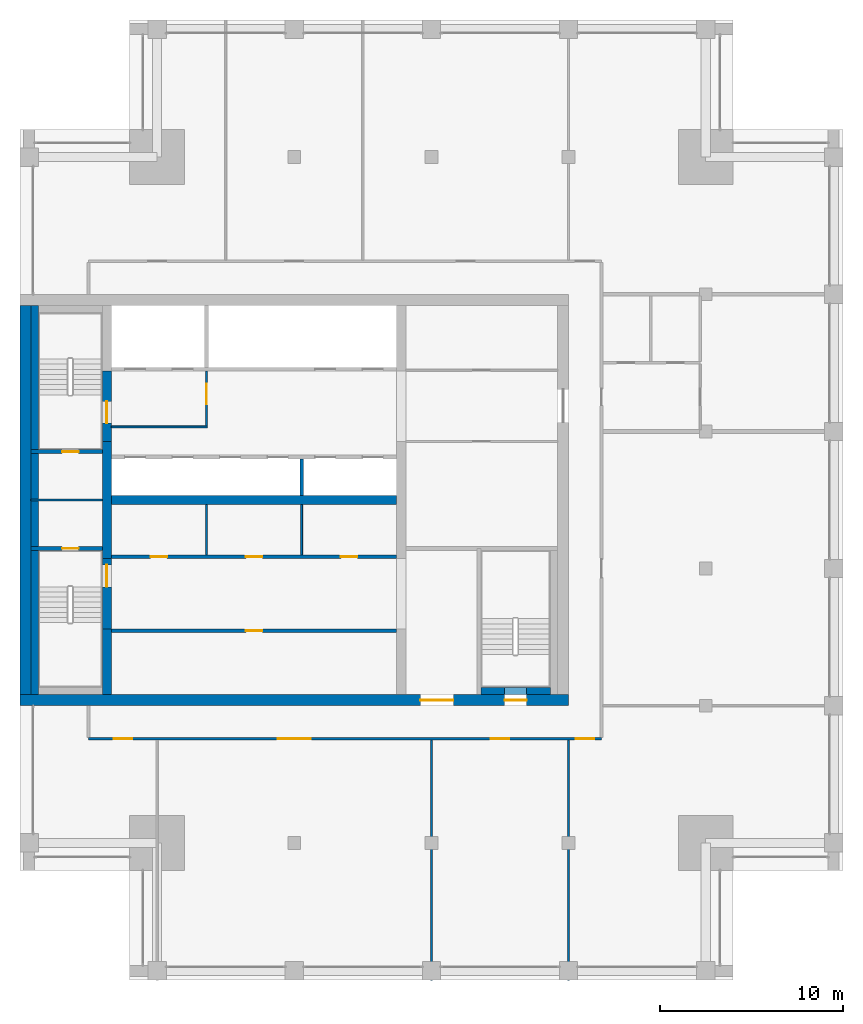
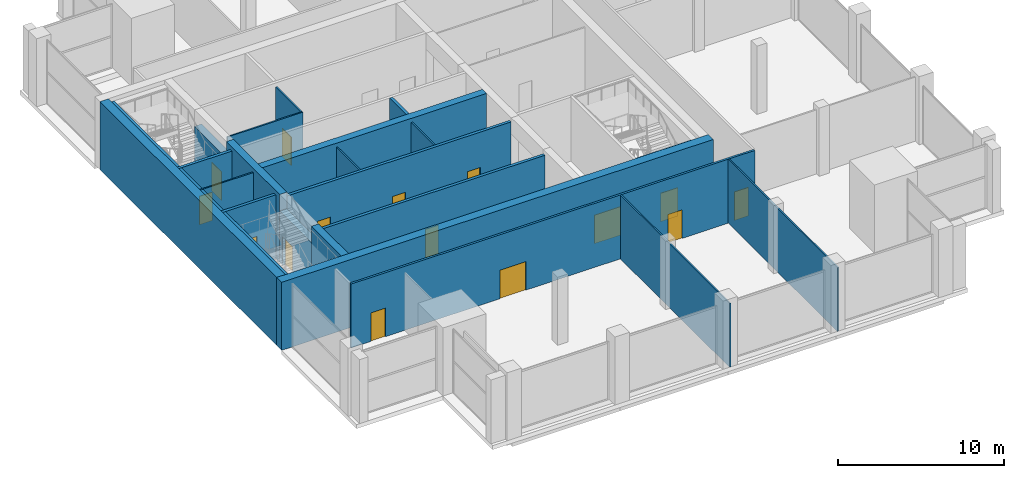
# One storey, part 8 of 15: 24 walls, 15 doors, 15 openings.
"""IFC4 building model written with IfcOpenShell, lengths in metres."""

import ifcopenshell
import ifcopenshell.guid

model = None  # the IFC model being written
_history = None  # IfcOwnerHistory: only IFC2X3 demands one
_inside = {}  # id of a spatial element -> (the spatial element, [elements in it])
_under = {}  # id of a project, library or spatial element -> (it, [spatial elements below it])
_declared = {}  # id of a project -> (the project, [libraries it declares])
_typed = {}  # id of a type object -> (the type object, [elements of that type])
_made_of = {}  # id of a material, layer set ... -> (it, [elements and type objects made of it])


def new_model(schema):
    """Start an empty IFC model of exactly this schema.

    Asked for "IFC4X3", IfcOpenShell would pick the latest addendum, in which some entities
    have other attributes; the version numbers below select the first issue.
    IFC2X3 requires an IfcOwnerHistory on every rooted entity: one is made here for all.
    """
    global model, _history
    if schema == "IFC4X3":
        model = ifcopenshell.file(schema_version=(4, 3, 0, 0))
    else:
        model = ifcopenshell.file(schema=schema)
    _inside.clear()
    _under.clear()
    _declared.clear()
    _typed.clear()
    _made_of.clear()
    _history = None
    if model.schema == "IFC2X3":
        org = make("IfcOrganization", Name="unknown")
        user = make(
            "IfcPersonAndOrganization",
            ThePerson=make("IfcPerson", FamilyName="unknown"),
            TheOrganization=org,
        )
        app = make(
            "IfcApplication",
            ApplicationDeveloper=org,
            Version="unknown",
            ApplicationFullName="unknown",
            ApplicationIdentifier="unknown",
        )
        _history = make(
            "IfcOwnerHistory",
            OwningUser=user,
            OwningApplication=app,
            ChangeAction="ADDED",
            CreationDate=0,
        )
    return model


def make(cls, **values):
    """One entity of the class cls with the attributes given. An attribute that is None is left unset."""
    return model.create_entity(
        cls, **{name: value for name, value in values.items() if value is not None}
    )


def rooted(cls, **values):
    """An entity with a GlobalId (a new one), such as an element, a storey or a relation."""
    return make(cls, GlobalId=ifcopenshell.guid.new(), OwnerHistory=_history, **values)


def si_unit(unit_type, name, prefix=None):
    """IfcSIUnit, for example si_unit("LENGTHUNIT", "METRE", prefix="MILLI")."""
    return make("IfcSIUnit", UnitType=unit_type, Prefix=prefix, Name=name)


def assignment(units):
    """IfcUnitAssignment: the units of a project."""
    return None if units is None else make("IfcUnitAssignment", Units=units)


def point(xyz):
    """IfcCartesianPoint."""
    return None if xyz is None else make("IfcCartesianPoint", Coordinates=xyz)


def direction(xyz):
    """IfcDirection."""
    return None if xyz is None else make("IfcDirection", DirectionRatios=xyz)


def frame(location, z_axis=None, x_axis=None):
    """IfcAxis2Placement3D, a coordinate frame: its origin and axes. An axis left out is left unset."""
    return make(
        "IfcAxis2Placement3D",
        Location=point(location),
        Axis=direction(z_axis),
        RefDirection=direction(x_axis),
    )


def frame_2d(location, x_axis=None):
    """IfcAxis2Placement2D, a coordinate frame in the plane: its origin and x axis."""
    return make(
        "IfcAxis2Placement2D", Location=point(location), RefDirection=direction(x_axis)
    )


def origin():
    """The frame at (0, 0, 0) with its axes left unset."""
    return frame((0.0, 0.0, 0.0))


def place(relative_to, where):
    """IfcLocalPlacement: puts the frame where relative to a parent placement (None: the world)."""
    return make(
        "IfcLocalPlacement", PlacementRelTo=relative_to, RelativePlacement=where
    )


def context(
    kind, dimensions, precision=None, world=None, true_north=None, identifier=None
):
    """IfcGeometricRepresentationContext, for example the 3D "Model" context."""
    return make(
        "IfcGeometricRepresentationContext",
        ContextIdentifier=identifier,
        ContextType=kind,
        CoordinateSpaceDimension=dimensions,
        Precision=precision,
        WorldCoordinateSystem=world,
        TrueNorth=true_north,
    )


def subcontext(parent, identifier, kind, view, scale=None):
    """IfcGeometricRepresentationSubContext, for example "Body" below "Model"."""
    return make(
        "IfcGeometricRepresentationSubContext",
        ContextIdentifier=identifier,
        ContextType=kind,
        ParentContext=parent,
        TargetScale=scale,
        TargetView=view,
    )


def project(units=None, contexts=None):
    """IfcProject with its units and contexts."""
    return rooted(
        "IfcProject",
        Name="project",
        RepresentationContexts=contexts,
        UnitsInContext=assignment(units),
    )


def spatial(cls, under=None, at=None, **own):
    """A site, building, storey or space (cls), placed at a placement, below another one or the project."""
    s = rooted(cls, ObjectPlacement=at, **own)
    if under is not None:
        _under.setdefault(under.id(), (under, []))[1].append(s)
    return s


def profile(cls, at=None, kind="AREA", **sizes):
    """A parametric profile (cls). Its sizes go by their IFC names, for example OverallWidth=200.0."""
    return make(cls, ProfileType=kind, Position=at, **sizes)


def rectangle(**sizes):
    """IfcRectangleProfileDef."""
    return profile("IfcRectangleProfileDef", **sizes)


def extrude(swept, where, along, depth):
    """IfcExtrudedAreaSolid: the profile swept, set in the frame where, extruded along a direction by depth."""
    return make(
        "IfcExtrudedAreaSolid",
        SweptArea=swept,
        Position=where,
        ExtrudedDirection=direction(along),
        Depth=depth,
    )


def shape(context_of_items, identifier, shape_type, items):
    """IfcShapeRepresentation: the items that make up one representation, for example the "Body"."""
    return make(
        "IfcShapeRepresentation",
        ContextOfItems=context_of_items,
        RepresentationIdentifier=identifier,
        RepresentationType=shape_type,
        Items=items,
    )


def material(Name=None, Category=None):
    """IfcMaterial."""
    return make("IfcMaterial", Name=Name, Category=Category)


def layer(
    of_material, thickness, ventilated=None, Name=None, Category=None, Priority=None
):
    """IfcMaterialLayer: one layer of a wall or slab, of a material (None: an air gap)."""
    return make(
        "IfcMaterialLayer",
        Material=of_material,
        LayerThickness=thickness,
        IsVentilated=ventilated,
        Name=Name,
        Category=Category,
        Priority=Priority,
    )


def layer_set(layers, Name=None):
    """IfcMaterialLayerSet."""
    return make("IfcMaterialLayerSet", MaterialLayers=layers, LayerSetName=Name)


def made_of(thing, what):
    """Note that an element or type object is made of a material, layer set ...; save() writes the relation."""
    if what is not None:
        _made_of.setdefault(what.id(), (what, []))[1].append(thing)
    return thing


def type_object(cls, material=None, **own):
    """A type object (cls), such as IfcWallType, which elements share."""
    return made_of(rooted(cls, **own), material)


def element(
    cls,
    number,
    at=None,
    inside=None,
    cuts=None,
    type_object=None,
    material=None,
    context=None,
    identifier="Body",
    shape_type=None,
    held_by="IfcProductDefinitionShape",
    body=None,
    shapes=None,
    **own,
):
    """One element of the class cls, such as IfcWall. Its Tag is "e" and its number.

    at: its placement. inside: the storey or other place that contains it. cuts: it is an
    opening in that element (IfcRelVoidsElement). A single representation is given by context,
    identifier, shape_type and body (its items); several are given by shapes. held_by: the class
    of the entity that holds the representations. save() writes the other relations.
    """
    e = rooted(cls, Tag="e%d" % number, ObjectPlacement=at, **own)
    if body is not None:
        shapes = [shape(context, identifier, shape_type, body)]
    if shapes is not None:
        e.Representation = make(held_by, Representations=shapes)
    if inside is not None:
        _inside.setdefault(inside.id(), (inside, []))[1].append(e)
    if cuts is not None:
        rooted(
            "IfcRelVoidsElement", RelatingBuildingElement=cuts, RelatedOpeningElement=e
        )
    if type_object is not None:
        _typed.setdefault(type_object.id(), (type_object, []))[1].append(e)
    return made_of(e, material)


def fill(opening, filler):
    """IfcRelFillsElement: the door or window that sits in an opening."""
    return rooted(
        "IfcRelFillsElement",
        RelatingOpeningElement=opening,
        RelatedBuildingElement=filler,
    )


def aggregate(whole, parts):
    """IfcRelAggregates: a whole, such as a stair, and the parts it consists of."""
    return rooted("IfcRelAggregates", RelatingObject=whole, RelatedObjects=parts)


def save(model, path):
    """Write the relations noted so far, then the file.

    IfcRelAggregates (storeys below a building ...), IfcRelContainedInSpatialStructure (elements
    in a storey), IfcRelDefinesByType, IfcRelAssociatesMaterial and IfcRelDeclares: one each for
    every whole, place, type object, material and project.
    """
    for whole, parts in _under.values():
        aggregate(whole, parts)
    for where, things in _inside.values():
        rooted(
            "IfcRelContainedInSpatialStructure",
            RelatedElements=things,
            RelatingStructure=where,
        )
    for kind, things in _typed.values():
        rooted("IfcRelDefinesByType", RelatedObjects=things, RelatingType=kind)
    for what, things in _made_of.values():
        rooted("IfcRelAssociatesMaterial", RelatedObjects=things, RelatingMaterial=what)
    for by, libraries in _declared.values():
        rooted("IfcRelDeclares", RelatingContext=by, RelatedDefinitions=libraries)
    model.write(path)


model = new_model("IFC4")

# Units and contexts
model_context = context("Model", 3, precision=1e-05, world=origin(), true_north=direction((0.0, 1.0)))
body_context = subcontext(model_context, "Body", "Model", "MODEL_VIEW")
ifc_project = project(units=[si_unit("LENGTHUNIT", "METRE"), si_unit("AREAUNIT", "SQUARE_METRE"), si_unit("VOLUMEUNIT", "CUBIC_METRE"), si_unit("PLANEANGLEUNIT", "RADIAN"), si_unit("MASSUNIT", "GRAM", prefix="KILO")], contexts=[model_context])

# Site, building, storey
site_placement = place(None, origin())
site = spatial("IfcSite", under=ifc_project, at=site_placement, CompositionType="ELEMENT")
building_placement = place(site_placement, origin())
building = spatial("IfcBuilding", under=site, at=building_placement, Name="Tamorin Gate", CompositionType="ELEMENT")
storey_placement = place(building_placement, frame((0.0, 0.0, 287.199951171875)))
storey = spatial("IfcBuildingStorey", under=building, at=storey_placement, Name="L72", CompositionType="ELEMENT", Elevation=287.199951171875)

# Wall, openings, doors
ifc_material_1 = material(Name="Gypsum board partition")
ifc_layer_1 = layer(ifc_material_1, 0.14990234375)
ifc_layer_set_1 = layer_set([ifc_layer_1], Name="Corridor wall 150")
wall_type_1 = type_object("IfcWallType", Name="Corridor wall 150", PredefinedType="PARTITIONING", material=ifc_layer_set_1)
wall_1_placement = place(storey_placement, frame((33.75, 58.199951171875, 0.0), z_axis=(0.0, 0.0, 1.0), x_axis=(1.0, 0.0, 0.0)))
wall_1 = element("IfcWall", 1, at=wall_1_placement, inside=storey, type_object=wall_type_1, Name="Corridor wall 150", PredefinedType="PARTITIONING", context=body_context, shape_type="SweptSolid", body=[
    extrude(rectangle(XDim=28.050048828125, YDim=0.14990234375, at=frame_2d((14.02490234375, 0.0))), origin(), (0.0, 0.0, 1.0), 4.699951171875),
])
opening_1_placement = place(wall_1_placement, frame((1.375, 0.0, 0.0)))
opening_1 = element("IfcOpeningElement", 2, at=opening_1_placement, cuts=wall_1, Name="Opening DCL1001", PredefinedType="OPENING", context=body_context, shape_type="SweptSolid", body=[
    extrude(rectangle(XDim=1.0, YDim=2.10009765625, at=frame_2d((0.5, 1.050048828125))), frame((0.0, 0.0849609375, 0.0), z_axis=(0.0, -1.0, 0.0), x_axis=(1.0, 0.0, 0.0)), (0.0, 0.0, 1.0), 0.169921875),
])
opening_2_placement = place(wall_1_placement, frame((10.35009765625, 0.0, 0.0)))
opening_2 = element("IfcOpeningElement", 3, at=opening_2_placement, cuts=wall_1, Name="Opening DCL1002", PredefinedType="OPENING", context=body_context, shape_type="SweptSolid", body=[
    extrude(rectangle(XDim=1.800048828125, YDim=2.10009765625, at=frame_2d((0.89990234375, 1.050048828125))), frame((0.0, 0.0849609375, 0.0), z_axis=(0.0, -1.0, 0.0), x_axis=(1.0, 0.0, 0.0)), (0.0, 0.0, 1.0), 0.169921875),
])
opening_3_placement = place(wall_1_placement, frame((22.0, 0.0, 0.0)))
opening_3 = element("IfcOpeningElement", 4, at=opening_3_placement, cuts=wall_1, Name="Opening DCL1003", PredefinedType="OPENING", context=body_context, shape_type="SweptSolid", body=[
    extrude(rectangle(XDim=1.0, YDim=2.10009765625, at=frame_2d((0.5, 1.050048828125))), frame((0.0, 0.0849609375, 0.0), z_axis=(0.0, -1.0, 0.0), x_axis=(1.0, 0.0, 0.0)), (0.0, 0.0, 1.0), 0.169921875),
])
opening_4_placement = place(wall_1_placement, frame((26.64990234375, 0.0, 0.0)))
opening_4 = element("IfcOpeningElement", 5, at=opening_4_placement, cuts=wall_1, Name="Opening DCL1004", PredefinedType="OPENING", context=body_context, shape_type="SweptSolid", body=[
    extrude(rectangle(XDim=1.0, YDim=2.10009765625, at=frame_2d((0.5, 1.050048828125))), frame((0.0, 0.0849609375, 0.0), z_axis=(0.0, -1.0, 0.0), x_axis=(1.0, 0.0, 0.0)), (0.0, 0.0, 1.0), 0.169921875),
])
ifc_material_2 = material(Name="Timber door leaf", Category="wood")
door_type_1 = type_object("IfcDoorType", Name="Door 1000 x 2100 FD30S", OperationType="NOTDEFINED", PredefinedType="DOOR", material=ifc_material_2)
door_1_placement = place(opening_1_placement, origin())
door_1 = element("IfcDoor", 6, at=door_1_placement, inside=storey, type_object=door_type_1, Name="Door DCL1001", OperationType="SINGLE_SWING_RIGHT", OverallHeight=2.10009765625, OverallWidth=1.0, PredefinedType="DOOR", context=body_context, shape_type="SweptSolid", body=[
    extrude(rectangle(XDim=1.0, YDim=2.10009765625, at=frame_2d((0.5, 1.050048828125))), frame((0.0, 0.02490234375, 0.0), z_axis=(0.0, -1.0, 0.0), x_axis=(1.0, 0.0, 0.0)), (0.0, 0.0, 1.0), 0.050048828125),
])
fill(opening_1, door_1)
door_2_placement = place(opening_3_placement, origin())
door_2 = element("IfcDoor", 7, at=door_2_placement, inside=storey, type_object=door_type_1, Name="Door DCL1003", OperationType="SINGLE_SWING_RIGHT", OverallHeight=2.10009765625, OverallWidth=1.0, PredefinedType="DOOR", context=body_context, shape_type="SweptSolid", body=[
    extrude(rectangle(XDim=1.0, YDim=2.10009765625, at=frame_2d((0.5, 1.050048828125))), frame((0.0, 0.02490234375, 0.0), z_axis=(0.0, -1.0, 0.0), x_axis=(1.0, 0.0, 0.0)), (0.0, 0.0, 1.0), 0.050048828125),
])
fill(opening_3, door_2)
door_3_placement = place(opening_4_placement, origin())
door_3 = element("IfcDoor", 8, at=door_3_placement, inside=storey, type_object=door_type_1, Name="Door DCL1004", OperationType="SINGLE_SWING_RIGHT", OverallHeight=2.10009765625, OverallWidth=1.0, PredefinedType="DOOR", context=body_context, shape_type="SweptSolid", body=[
    extrude(rectangle(XDim=1.0, YDim=2.10009765625, at=frame_2d((0.5, 1.050048828125))), frame((0.0, 0.02490234375, 0.0), z_axis=(0.0, -1.0, 0.0), x_axis=(1.0, 0.0, 0.0)), (0.0, 0.0, 1.0), 0.050048828125),
])
fill(opening_4, door_3)
door_type_2 = type_object("IfcDoorType", Name="Door 1800 x 2100 FD30S", OperationType="DOUBLE_DOOR_SINGLE_SWING", PredefinedType="DOOR", material=ifc_material_2)
door_4_placement = place(opening_2_placement, origin())
door_4 = element("IfcDoor", 9, at=door_4_placement, inside=storey, type_object=door_type_2, Name="Door DCL1002", OperationType="DOUBLE_DOOR_SINGLE_SWING", OverallHeight=2.10009765625, OverallWidth=1.800048828125, PredefinedType="DOOR", context=body_context, shape_type="SweptSolid", body=[
    extrude(rectangle(XDim=1.800048828125, YDim=2.10009765625, at=frame_2d((0.89990234375, 1.050048828125))), frame((0.0, 0.02490234375, 0.0), z_axis=(0.0, -1.0, 0.0), x_axis=(1.0, 0.0, 0.0)), (0.0, 0.0, 1.0), 0.050048828125),
])
fill(opening_2, door_4)

# Walls
ifc_material_3 = material(Name="Concrete C32/40", Category="concrete")
ifc_layer_2 = layer(ifc_material_3, 0.199951171875)
ifc_layer_set_2 = layer_set([ifc_layer_2], Name="Lift shaft wall 200 EI 120")
wall_type_2 = type_object("IfcWallType", Name="Lift shaft wall 200 EI 120", PredefinedType="SOLIDWALL", material=ifc_layer_set_2)
wall_2_placement = place(storey_placement, frame((45.39990234375, 71.5, 0.0), z_axis=(0.0, 0.0, 1.0), x_axis=(0.0, 1.0, 0.0)))
element("IfcWall", 10, at=wall_2_placement, inside=storey, type_object=wall_type_2, Name="Lift shaft wall", PredefinedType="SOLIDWALL", context=body_context, shape_type="SweptSolid", body=[
    extrude(rectangle(XDim=2.0, YDim=0.199951171875, at=frame_2d((1.0, 0.0))), origin(), (0.0, 0.0, 1.0), 5.0),
])
ifc_material_4 = material(Name="Fire-rated gypsum board partition")
ifc_layer_3 = layer(ifc_material_4, 0.10009765625)
ifc_layer_set_3 = layer_set([ifc_layer_3], Name="Lobby wall 100 EI 60")
wall_type_3 = type_object("IfcWallType", Name="Lobby wall 100 EI 60", PredefinedType="PARTITIONING", material=ifc_layer_set_3)
wall_3_placement = place(storey_placement, frame((35.0, 75.25, 0.0), z_axis=(0.0, 0.0, 1.0), x_axis=(1.0, 0.0, 0.0)))
element("IfcWall", 11, at=wall_3_placement, inside=storey, type_object=wall_type_3, Name="Firefighting lobby wall", PredefinedType="PARTITIONING", context=body_context, shape_type="SweptSolid", body=[
    extrude(rectangle(XDim=5.25, YDim=0.10009765625, at=frame_2d((2.625, 0.0))), origin(), (0.0, 0.0, 1.0), 4.699951171875),
])

# Wall, opening, door
wall_4_placement = place(storey_placement, frame((40.199951171875, 75.300048828125, 0.0), z_axis=(0.0, 0.0, 1.0), x_axis=(0.0, 1.0, 0.0)))
wall_4 = element("IfcWall", 12, at=wall_4_placement, inside=storey, type_object=wall_type_3, Name="Firefighting lobby wall", PredefinedType="PARTITIONING", context=body_context, shape_type="SweptSolid", body=[
    extrude(rectangle(XDim=3.0, YDim=0.10009765625, at=frame_2d((1.5, 0.0))), origin(), (0.0, 0.0, 1.0), 4.699951171875),
])
opening_5_placement = place(wall_4_placement, frame((1.199951171875, 0.0, 0.0)))
opening_5 = element("IfcOpeningElement", 13, at=opening_5_placement, cuts=wall_4, Name="Opening DF1", PredefinedType="OPENING", context=body_context, shape_type="SweptSolid", body=[
    extrude(rectangle(XDim=1.10009765625, YDim=2.10009765625, at=frame_2d((0.550048828125, 1.050048828125))), frame((0.0, 0.06005859375, 0.0), z_axis=(0.0, -1.0, 0.0), x_axis=(1.0, 0.0, 0.0)), (0.0, 0.0, 1.0), 0.1201171875),
])
ifc_material_5 = material(Name="Steel fire door", Category="steel")
door_type_3 = type_object("IfcDoorType", Name="Firefighting lobby door 1100 x 2100 EI 90", OperationType="SINGLE_SWING_LEFT", PredefinedType="DOOR", material=ifc_material_5)
door_5_placement = place(opening_5_placement, origin())
door_5 = element("IfcDoor", 14, at=door_5_placement, inside=storey, type_object=door_type_3, Name="Firefighting lobby door", OperationType="SINGLE_SWING_LEFT", OverallHeight=2.10009765625, OverallWidth=1.10009765625, PredefinedType="DOOR", context=body_context, shape_type="SweptSolid", body=[
    extrude(rectangle(XDim=1.10009765625, YDim=2.10009765625, at=frame_2d((0.550048828125, 1.050048828125))), frame((0.0, 0.02490234375, 0.0), z_axis=(0.0, -1.0, 0.0), x_axis=(1.0, 0.0, 0.0)), (0.0, 0.0, 1.0), 0.050048828125),
])
fill(opening_5, door_5)

# Walls
ifc_material_6 = material(Name="Concrete C50/60", Category="concrete")
ifc_layer_4 = layer(ifc_material_6, 0.5)
ifc_layer_set_4 = layer_set([ifc_layer_4], Name="RC core internal wall 500 C50/60")
wall_type_4 = type_object("IfcWallType", Name="RC core internal wall 500 C50/60", PredefinedType="SHEAR", material=ifc_layer_set_4)
wall_5_placement = place(storey_placement, frame((35.0, 71.25, 0.0), z_axis=(0.0, 0.0, 1.0), x_axis=(1.0, 0.0, 0.0)))
element("IfcWall", 15, at=wall_5_placement, inside=storey, type_object=wall_type_4, Name="Core spine wall L72", PredefinedType="SHEAR", context=body_context, shape_type="SweptSolid", body=[
    extrude(rectangle(XDim=15.60009765625, YDim=0.5, at=frame_2d((7.800048828125, 0.0))), origin(), (0.0, 0.0, 1.0), 5.0),
])
wall_6_placement = place(storey_placement, frame((34.75, 60.60009765625, 0.0), z_axis=(0.0, 0.0, 1.0), x_axis=(0.0, 1.0, 0.0)))
element("IfcWall", 16, at=wall_6_placement, inside=storey, type_object=wall_type_4, Name="Core cross wall L72", PredefinedType="SHEAR", context=body_context, shape_type="SweptSolid", body=[
    extrude(rectangle(XDim=3.599853515625, YDim=0.5, at=frame_2d((1.7998046875, 0.0))), origin(), (0.0, 0.0, 1.0), 5.0),
])
wall_7_placement = place(storey_placement, frame((34.75, 68.050048828125, 0.0), z_axis=(0.0, 0.0, 1.0), x_axis=(0.0, 1.0, 0.0)))
element("IfcWall", 17, at=wall_7_placement, inside=storey, type_object=wall_type_4, Name="Core cross wall L72", PredefinedType="SHEAR", context=body_context, shape_type="SweptSolid", body=[
    extrude(rectangle(XDim=6.39990234375, YDim=0.5, at=frame_2d((3.199951171875, 0.0))), origin(), (0.0, 0.0, 1.0), 5.0),
])

# Wall, openings, doors
ifc_layer_5 = layer(ifc_material_6, 0.60009765625)
ifc_layer_set_5 = layer_set([ifc_layer_5], Name="RC core wall 600 C50/60")
wall_type_5 = type_object("IfcWallType", Name="RC core wall 600 C50/60", PredefinedType="SHEAR", material=ifc_layer_set_5)
wall_8_placement = place(storey_placement, frame((30.0, 60.300048828125, 0.0), z_axis=(0.0, 0.0, 1.0), x_axis=(1.0, 0.0, 0.0)))
wall_8 = element("IfcWall", 18, at=wall_8_placement, inside=storey, type_object=wall_type_5, Name="Core wall L72", PredefinedType="SHEAR", context=body_context, shape_type="SweptSolid", body=[
    extrude(rectangle(XDim=30.0, YDim=0.60009765625, at=frame_2d((15.0, 0.0))), origin(), (0.0, 0.0, 1.0), 5.0),
])
opening_6_placement = place(wall_8_placement, frame((21.89990234375, 0.0, 0.0)))
opening_6 = element("IfcOpeningElement", 19, at=opening_6_placement, cuts=wall_8, Name="Opening DE1", PredefinedType="OPENING", context=body_context, shape_type="SweptSolid", body=[
    extrude(rectangle(XDim=1.800048828125, YDim=2.10009765625, at=frame_2d((0.89990234375, 1.050048828125))), frame((0.0, 0.31005859375, 0.0), z_axis=(0.0, -1.0, 0.0), x_axis=(1.0, 0.0, 0.0)), (0.0, 0.0, 1.0), 0.6201171875),
])
opening_7_placement = place(wall_8_placement, frame((26.5, 0.0, 0.0)))
opening_7 = element("IfcOpeningElement", 20, at=opening_7_placement, cuts=wall_8, Name="Opening DS1", PredefinedType="OPENING", context=body_context, shape_type="SweptSolid", body=[
    extrude(rectangle(XDim=1.199951171875, YDim=2.10009765625, at=frame_2d((0.60009765625, 1.050048828125))), frame((0.0, 0.31005859375, 0.0), z_axis=(0.0, -1.0, 0.0), x_axis=(1.0, 0.0, 0.0)), (0.0, 0.0, 1.0), 0.6201171875),
])
door_type_4 = type_object("IfcDoorType", Name="Lobby exit double door 1800 x 2100 EI 60", OperationType="DOUBLE_DOOR_SINGLE_SWING", PredefinedType="DOOR", material=ifc_material_5)
door_6_placement = place(opening_6_placement, origin())
door_6 = element("IfcDoor", 21, at=door_6_placement, inside=storey, type_object=door_type_4, Name="Lift lobby A exit door", OperationType="DOUBLE_DOOR_SINGLE_SWING", OverallHeight=2.10009765625, OverallWidth=1.800048828125, PredefinedType="DOOR", context=body_context, shape_type="SweptSolid", body=[
    extrude(rectangle(XDim=1.800048828125, YDim=2.10009765625, at=frame_2d((0.89990234375, 1.050048828125))), frame((0.0, 0.02490234375, 0.0), z_axis=(0.0, -1.0, 0.0), x_axis=(1.0, 0.0, 0.0)), (0.0, 0.0, 1.0), 0.050048828125),
])
fill(opening_6, door_6)
door_type_5 = type_object("IfcDoorType", Name="Stair door 1200 x 2100 EI 90", OperationType="SINGLE_SWING_LEFT", PredefinedType="DOOR", material=ifc_material_5)
door_7_placement = place(opening_7_placement, origin())
door_7 = element("IfcDoor", 22, at=door_7_placement, inside=storey, type_object=door_type_5, Name="ST3 door", OperationType="SINGLE_SWING_LEFT", OverallHeight=2.10009765625, OverallWidth=1.199951171875, PredefinedType="DOOR", context=body_context, shape_type="SweptSolid", body=[
    extrude(rectangle(XDim=1.199951171875, YDim=2.10009765625, at=frame_2d((0.60009765625, 1.050048828125))), frame((0.0, 0.02490234375, 0.0), z_axis=(0.0, -1.0, 0.0), x_axis=(1.0, 0.0, 0.0)), (0.0, 0.0, 1.0), 0.050048828125),
])
fill(opening_7, door_7)

# Walls
wall_9_placement = place(storey_placement, frame((30.300048828125, 60.60009765625, 0.0), z_axis=(0.0, 0.0, 1.0), x_axis=(0.0, 1.0, 0.0)))
element("IfcWall", 23, at=wall_9_placement, inside=storey, type_object=wall_type_5, Name="Core wall L72", PredefinedType="SHEAR", context=body_context, shape_type="SweptSolid", body=[
    extrude(rectangle(XDim=21.2998046875, YDim=0.60009765625, at=frame_2d((10.64990234375, 0.0))), origin(), (0.0, 0.0, 1.0), 5.0),
])
ifc_layer_6 = layer(ifc_material_4, 0.10009765625)
ifc_layer_set_6 = layer_set([ifc_layer_6], Name="Riser partition 100 EI 120")
wall_type_6 = type_object("IfcWallType", Name="Riser partition 100 EI 120", PredefinedType="PARTITIONING", material=ifc_layer_set_6)
wall_10_placement = place(storey_placement, frame((30.60009765625, 71.25, 0.0), z_axis=(0.0, 0.0, 1.0), x_axis=(1.0, 0.0, 0.0)))
element("IfcWall", 24, at=wall_10_placement, inside=storey, type_object=wall_type_6, Name="Riser partition", PredefinedType="PARTITIONING", context=body_context, shape_type="SweptSolid", body=[
    extrude(rectangle(XDim=3.89990234375, YDim=0.10009765625, at=frame_2d((1.949951171875, 0.0))), origin(), (0.0, 0.0, 1.0), 4.699951171875),
])
ifc_layer_7 = layer(ifc_material_1, 0.10009765625)
ifc_layer_set_7 = layer_set([ifc_layer_7], Name="Room partition 100")
wall_type_7 = type_object("IfcWallType", Name="Room partition 100", PredefinedType="PARTITIONING", material=ifc_layer_set_7)
for number, where, z_axis, x_axis, name in (
    (25, (52.5, 45.0, 0.0), (0.0, 0.0, 1.0), (0.0, 1.0, 0.0), "Room partition 100"),
    (26, (60.0, 45.0, 0.0), (0.0, 0.0, 1.0), (0.0, 1.0, 0.0), "Room partition 100"),
):
    element("IfcWall", number, at=place(storey_placement, frame(where, z_axis=z_axis, x_axis=x_axis)), inside=storey, type_object=wall_type_7, Name=name, PredefinedType="PARTITIONING", context=body_context, shape_type="SweptSolid", body=[
        extrude(rectangle(XDim=13.125, YDim=0.10009765625, at=frame_2d((6.5625, 0.0))), origin(), (0.0, 0.0, 1.0), 4.699951171875),
    ])

# Wall, opening, door
ifc_layer_8 = layer(ifc_material_1, 0.199951171875)
ifc_layer_set_8 = layer_set([ifc_layer_8], Name="Service room face wall 200 EI 60")
wall_type_8 = type_object("IfcWallType", Name="Service room face wall 200 EI 60", PredefinedType="PARTITIONING", material=ifc_layer_set_8)
wall_11_placement = place(storey_placement, frame((35.0, 64.10009765625, 0.0), z_axis=(0.0, 0.0, 1.0), x_axis=(1.0, 0.0, 0.0)))
wall_11 = element("IfcWall", 27, at=wall_11_placement, inside=storey, type_object=wall_type_8, Name="Service room face wall", PredefinedType="PARTITIONING", context=body_context, shape_type="SweptSolid", body=[
    extrude(rectangle(XDim=15.60009765625, YDim=0.199951171875, at=frame_2d((7.800048828125, 0.0))), origin(), (0.0, 0.0, 1.0), 4.699951171875),
])
opening_8_placement = place(wall_11_placement, frame((7.35009765625, 0.0, 0.0)))
opening_8 = element("IfcOpeningElement", 28, at=opening_8_placement, cuts=wall_11, Name="Opening DK1", PredefinedType="OPENING", context=body_context, shape_type="SweptSolid", body=[
    extrude(rectangle(XDim=0.89990234375, YDim=2.10009765625, at=frame_2d((0.449951171875, 1.050048828125))), frame((0.0, 0.10986328125, 0.0), z_axis=(0.0, -1.0, 0.0), x_axis=(1.0, 0.0, 0.0)), (0.0, 0.0, 1.0), 0.219970703125),
])
ifc_material_7 = material(Name="Timber fire door", Category="wood")
door_type_6 = type_object("IfcDoorType", Name="Service room door 900 x 2100 EI 60", OperationType="SINGLE_SWING_LEFT", PredefinedType="DOOR", material=ifc_material_7)
door_8_placement = place(opening_8_placement, origin())
door_8 = element("IfcDoor", 29, at=door_8_placement, inside=storey, type_object=door_type_6, Name="Door Club storage room", OperationType="SINGLE_SWING_RIGHT", OverallHeight=2.10009765625, OverallWidth=0.89990234375, PredefinedType="DOOR", context=body_context, shape_type="SweptSolid", body=[
    extrude(rectangle(XDim=0.89990234375, YDim=2.10009765625, at=frame_2d((0.449951171875, 1.050048828125))), frame((0.0, 0.02490234375, 0.0), z_axis=(0.0, -1.0, 0.0), x_axis=(1.0, 0.0, 0.0)), (0.0, 0.0, 1.0), 0.050048828125),
])
fill(opening_8, door_8)

# Wall, openings, doors
wall_12_placement = place(storey_placement, frame((35.0, 68.14990234375, 0.0), z_axis=(0.0, 0.0, 1.0), x_axis=(1.0, 0.0, 0.0)))
wall_12 = element("IfcWall", 30, at=wall_12_placement, inside=storey, type_object=wall_type_8, Name="Service room face wall", PredefinedType="PARTITIONING", context=body_context, shape_type="SweptSolid", body=[
    extrude(rectangle(XDim=15.60009765625, YDim=0.199951171875, at=frame_2d((7.800048828125, 0.0))), origin(), (0.0, 0.0, 1.0), 4.699951171875),
])
opening_9_placement = place(wall_12_placement, frame((2.14990234375, 0.0, 0.0)))
opening_9 = element("IfcOpeningElement", 31, at=opening_9_placement, cuts=wall_12, Name="Opening DK1", PredefinedType="OPENING", context=body_context, shape_type="SweptSolid", body=[
    extrude(rectangle(XDim=0.89990234375, YDim=2.10009765625, at=frame_2d((0.449951171875, 1.050048828125))), frame((0.0, 0.10986328125, 0.0), z_axis=(0.0, -1.0, 0.0), x_axis=(1.0, 0.0, 0.0)), (0.0, 0.0, 1.0), 0.219970703125),
])
opening_10_placement = place(wall_12_placement, frame((7.35009765625, 0.0, 0.0)))
opening_10 = element("IfcOpeningElement", 32, at=opening_10_placement, cuts=wall_12, Name="Opening DK1", PredefinedType="OPENING", context=body_context, shape_type="SweptSolid", body=[
    extrude(rectangle(XDim=0.89990234375, YDim=2.10009765625, at=frame_2d((0.449951171875, 1.050048828125))), frame((0.0, 0.10986328125, 0.0), z_axis=(0.0, -1.0, 0.0), x_axis=(1.0, 0.0, 0.0)), (0.0, 0.0, 1.0), 0.219970703125),
])
opening_11_placement = place(wall_12_placement, frame((12.550048828125, 0.0, 0.0)))
opening_11 = element("IfcOpeningElement", 33, at=opening_11_placement, cuts=wall_12, Name="Opening DK1", PredefinedType="OPENING", context=body_context, shape_type="SweptSolid", body=[
    extrude(rectangle(XDim=0.89990234375, YDim=2.10009765625, at=frame_2d((0.449951171875, 1.050048828125))), frame((0.0, 0.10986328125, 0.0), z_axis=(0.0, -1.0, 0.0), x_axis=(1.0, 0.0, 0.0)), (0.0, 0.0, 1.0), 0.219970703125),
])
door_9_placement = place(opening_9_placement, origin())
door_9 = element("IfcDoor", 34, at=door_9_placement, inside=storey, type_object=door_type_6, Name="Door Pantry", OperationType="SINGLE_SWING_RIGHT", OverallHeight=2.10009765625, OverallWidth=0.89990234375, PredefinedType="DOOR", context=body_context, shape_type="SweptSolid", body=[
    extrude(rectangle(XDim=0.89990234375, YDim=2.10009765625, at=frame_2d((0.449951171875, 1.050048828125))), frame((0.0, 0.02490234375, 0.0), z_axis=(0.0, -1.0, 0.0), x_axis=(1.0, 0.0, 0.0)), (0.0, 0.0, 1.0), 0.050048828125),
])
fill(opening_9, door_9)
door_10_placement = place(opening_10_placement, origin())
door_10 = element("IfcDoor", 35, at=door_10_placement, inside=storey, type_object=door_type_6, Name="Door Club store", OperationType="SINGLE_SWING_LEFT", OverallHeight=2.10009765625, OverallWidth=0.89990234375, PredefinedType="DOOR", context=body_context, shape_type="SweptSolid", body=[
    extrude(rectangle(XDim=0.89990234375, YDim=2.10009765625, at=frame_2d((0.449951171875, 1.050048828125))), frame((0.0, 0.02490234375, 0.0), z_axis=(0.0, -1.0, 0.0), x_axis=(1.0, 0.0, 0.0)), (0.0, 0.0, 1.0), 0.050048828125),
])
fill(opening_10, door_10)
door_11_placement = place(opening_11_placement, origin())
door_11 = element("IfcDoor", 36, at=door_11_placement, inside=storey, type_object=door_type_6, Name="Door IT room", OperationType="SINGLE_SWING_RIGHT", OverallHeight=2.10009765625, OverallWidth=0.89990234375, PredefinedType="DOOR", context=body_context, shape_type="SweptSolid", body=[
    extrude(rectangle(XDim=0.89990234375, YDim=2.10009765625, at=frame_2d((0.449951171875, 1.050048828125))), frame((0.0, 0.02490234375, 0.0), z_axis=(0.0, -1.0, 0.0), x_axis=(1.0, 0.0, 0.0)), (0.0, 0.0, 1.0), 0.050048828125),
])
fill(opening_11, door_11)

# Walls
ifc_layer_9 = layer(ifc_material_1, 0.10009765625)
ifc_layer_set_9 = layer_set([ifc_layer_9], Name="Service room partition 100 EI 60")
wall_type_9 = type_object("IfcWallType", Name="Service room partition 100 EI 60", PredefinedType="PARTITIONING", material=ifc_layer_set_9)
for number, where, z_axis, x_axis, name in (
    (37, (40.199951171875, 68.25, 0.0), (0.0, 0.0, 1.0), (0.0, 1.0, 0.0), "Service room partition"),
    (38, (45.39990234375, 68.25, 0.0), (0.0, 0.0, 1.0), (0.0, 1.0, 0.0), "Service room partition"),
):
    element("IfcWall", number, at=place(storey_placement, frame(where, z_axis=z_axis, x_axis=x_axis)), inside=storey, type_object=wall_type_9, Name=name, PredefinedType="PARTITIONING", context=body_context, shape_type="SweptSolid", body=[
        extrude(rectangle(XDim=2.75, YDim=0.10009765625, at=frame_2d((1.375, 0.0))), origin(), (0.0, 0.0, 1.0), 4.699951171875),
    ])

# Wall, opening, door
ifc_material_8 = material(Name="Concrete C40/50", Category="concrete")
ifc_layer_10 = layer(ifc_material_8, 0.199951171875)
ifc_layer_set_10 = layer_set([ifc_layer_10], Name="Stair enclosure wall 200 EI 120 C40/50")
wall_type_10 = type_object("IfcWallType", Name="Stair enclosure wall 200 EI 120 C40/50", PredefinedType="SOLIDWALL", material=ifc_layer_set_10)
wall_13_placement = place(storey_placement, frame((30.60009765625, 68.60009765625, 0.0), z_axis=(0.0, 0.0, 1.0), x_axis=(1.0, 0.0, 0.0)))
wall_13 = element("IfcWall", 39, at=wall_13_placement, inside=storey, type_object=wall_type_10, Name="Stair enclosure wall", PredefinedType="SOLIDWALL", context=body_context, shape_type="SweptSolid", body=[
    extrude(rectangle(XDim=3.89990234375, YDim=0.199951171875, at=frame_2d((1.949951171875, 0.0))), origin(), (0.0, 0.0, 1.0), 4.699951171875),
])
opening_12_placement = place(wall_13_placement, frame((1.699951171875, 0.0, 0.0)))
opening_12 = element("IfcOpeningElement", 40, at=opening_12_placement, cuts=wall_13, Name="Opening DR1", PredefinedType="OPENING", context=body_context, shape_type="SweptSolid", body=[
    extrude(rectangle(XDim=0.89990234375, YDim=2.10009765625, at=frame_2d((0.449951171875, 1.050048828125))), frame((0.0, 0.10986328125, 0.0), z_axis=(0.0, -1.0, 0.0), x_axis=(1.0, 0.0, 0.0)), (0.0, 0.0, 1.0), 0.219970703125),
])
door_type_7 = type_object("IfcDoorType", Name="Riser access door 900 x 2100 EI 120", OperationType="SINGLE_SWING_LEFT", PredefinedType="DOOR", material=ifc_material_5)
door_12_placement = place(opening_12_placement, origin())
door_12 = element("IfcDoor", 41, at=door_12_placement, inside=storey, type_object=door_type_7, Name="Electrical riser door", OperationType="SINGLE_SWING_LEFT", OverallHeight=2.10009765625, OverallWidth=0.89990234375, PredefinedType="DOOR", context=body_context, shape_type="SweptSolid", body=[
    extrude(rectangle(XDim=0.89990234375, YDim=2.10009765625, at=frame_2d((0.449951171875, 1.050048828125))), frame((0.0, 0.02490234375, 0.0), z_axis=(0.0, -1.0, 0.0), x_axis=(1.0, 0.0, 0.0)), (0.0, 0.0, 1.0), 0.050048828125),
])
fill(opening_12, door_12)

wall_14_placement = place(storey_placement, frame((30.60009765625, 73.89990234375, 0.0), z_axis=(0.0, 0.0, 1.0), x_axis=(1.0, 0.0, 0.0)))
wall_14 = element("IfcWall", 42, at=wall_14_placement, inside=storey, type_object=wall_type_10, Name="Stair enclosure wall", PredefinedType="SOLIDWALL", context=body_context, shape_type="SweptSolid", body=[
    extrude(rectangle(XDim=3.89990234375, YDim=0.199951171875, at=frame_2d((1.949951171875, 0.0))), origin(), (0.0, 0.0, 1.0), 4.699951171875),
])
opening_13_placement = place(wall_14_placement, frame((1.699951171875, 0.0, 0.0)))
opening_13 = element("IfcOpeningElement", 43, at=opening_13_placement, cuts=wall_14, Name="Opening DR1", PredefinedType="OPENING", context=body_context, shape_type="SweptSolid", body=[
    extrude(rectangle(XDim=0.89990234375, YDim=2.10009765625, at=frame_2d((0.449951171875, 1.050048828125))), frame((0.0, 0.10986328125, 0.0), z_axis=(0.0, -1.0, 0.0), x_axis=(1.0, 0.0, 0.0)), (0.0, 0.0, 1.0), 0.219970703125),
])
door_13_placement = place(opening_13_placement, origin())
door_13 = element("IfcDoor", 44, at=door_13_placement, inside=storey, type_object=door_type_7, Name="Communications riser door", OperationType="SINGLE_SWING_RIGHT", OverallHeight=2.10009765625, OverallWidth=0.89990234375, PredefinedType="DOOR", context=body_context, shape_type="SweptSolid", body=[
    extrude(rectangle(XDim=0.89990234375, YDim=2.10009765625, at=frame_2d((0.449951171875, 1.050048828125))), frame((0.0, 0.02490234375, 0.0), z_axis=(0.0, -1.0, 0.0), x_axis=(1.0, 0.0, 0.0)), (0.0, 0.0, 1.0), 0.050048828125),
])
fill(opening_13, door_13)

# Walls
ifc_layer_11 = layer(ifc_material_6, 0.39990234375)
ifc_layer_set_11 = layer_set([ifc_layer_11], Name="Stair lining wall 400 EI 120 C50/60")
wall_type_11 = type_object("IfcWallType", Name="Stair lining wall 400 EI 120 C50/60", PredefinedType="SOLIDWALL", material=ifc_layer_set_11)
wall_15_placement = place(storey_placement, frame((30.800048828125, 60.60009765625, 0.0), z_axis=(0.0, 0.0, 1.0), x_axis=(0.0, 1.0, 0.0)))
element("IfcWall", 45, at=wall_15_placement, inside=storey, type_object=wall_type_11, Name="Stair lining wall", PredefinedType="SOLIDWALL", context=body_context, shape_type="SweptSolid", body=[
    extrude(rectangle(XDim=21.2998046875, YDim=0.39990234375, at=frame_2d((10.64990234375, 0.0))), origin(), (0.0, 0.0, 1.0), 4.699951171875),
])
for number, where, z_axis, x_axis, name in (
    (46, (55.199951171875, 60.800048828125, 0.0), (0.0, 0.0, 1.0), (1.0, 0.0, 0.0), "Stair lining wall"),
    (47, (57.699951171875, 60.800048828125, 0.0), (0.0, 0.0, 1.0), (1.0, 0.0, 0.0), "Stair lining wall"),
):
    element("IfcWall", number, at=place(storey_placement, frame(where, z_axis=z_axis, x_axis=x_axis)), inside=storey, type_object=wall_type_11, Name=name, PredefinedType="SOLIDWALL", context=body_context, shape_type="SweptSolid", body=[
        extrude(rectangle(XDim=1.300048828125, YDim=0.39990234375, at=frame_2d((0.64990234375, 0.0))), origin(), (0.0, 0.0, 1.0), 4.699951171875),
    ])
wall_16_placement = place(storey_placement, frame((56.5, 60.800048828125, 3.199951171875), z_axis=(0.0, 0.0, 1.0), x_axis=(1.0, 0.0, 0.0)))
element("IfcWall", 48, at=wall_16_placement, inside=storey, type_object=wall_type_11, Name="Stair lining wall", PredefinedType="SOLIDWALL", context=body_context, shape_type="SweptSolid", body=[
    extrude(rectangle(XDim=1.199951171875, YDim=0.39990234375, at=frame_2d((0.60009765625, 0.0))), origin(), (0.0, 0.0, 1.0), 1.5),
])

# Wall, opening, door
ifc_layer_12 = layer(ifc_material_3, 0.5)
ifc_layer_set_12 = layer_set([ifc_layer_12], Name="Stair lobby infill wall 500 EI 120")
wall_type_12 = type_object("IfcWallType", Name="Stair lobby infill wall 500 EI 120", PredefinedType="SOLIDWALL", material=ifc_layer_set_12)
wall_17_placement = place(storey_placement, frame((34.75, 64.199951171875, 0.0), z_axis=(0.0, 0.0, 1.0), x_axis=(0.0, 1.0, 0.0)))
wall_17 = element("IfcWall", 49, at=wall_17_placement, inside=storey, type_object=wall_type_12, Name="Stair lobby infill wall", PredefinedType="SOLIDWALL", context=body_context, shape_type="SweptSolid", body=[
    extrude(rectangle(XDim=3.85009765625, YDim=0.5, at=frame_2d((1.925048828125, 0.0))), origin(), (0.0, 0.0, 1.0), 3.800048828125),
])
opening_14_placement = place(wall_17_placement, frame((2.300048828125, 0.0, 0.0)))
opening_14 = element("IfcOpeningElement", 50, at=opening_14_placement, cuts=wall_17, Name="Opening DS1", PredefinedType="OPENING", context=body_context, shape_type="SweptSolid", body=[
    extrude(rectangle(XDim=1.199951171875, YDim=2.10009765625, at=frame_2d((0.60009765625, 1.050048828125))), frame((0.0, 0.260009765625, 0.0), z_axis=(0.0, -1.0, 0.0), x_axis=(1.0, 0.0, 0.0)), (0.0, 0.0, 1.0), 0.52001953125),
])
door_14_placement = place(opening_14_placement, origin())
door_14 = element("IfcDoor", 51, at=door_14_placement, inside=storey, type_object=door_type_5, Name="ST1 door", OperationType="SINGLE_SWING_LEFT", OverallHeight=2.10009765625, OverallWidth=1.199951171875, PredefinedType="DOOR", context=body_context, shape_type="SweptSolid", body=[
    extrude(rectangle(XDim=1.199951171875, YDim=2.10009765625, at=frame_2d((0.60009765625, 1.050048828125))), frame((0.0, 0.02490234375, 0.0), z_axis=(0.0, -1.0, 0.0), x_axis=(1.0, 0.0, 0.0)), (0.0, 0.0, 1.0), 0.050048828125),
])
fill(opening_14, door_14)

wall_18_placement = place(storey_placement, frame((34.75, 74.449951171875, 0.0), z_axis=(0.0, 0.0, 1.0), x_axis=(0.0, 1.0, 0.0)))
wall_18 = element("IfcWall", 52, at=wall_18_placement, inside=storey, type_object=wall_type_12, Name="Stair lobby infill wall", PredefinedType="SOLIDWALL", context=body_context, shape_type="SweptSolid", body=[
    extrude(rectangle(XDim=3.85009765625, YDim=0.5, at=frame_2d((1.925048828125, 0.0))), origin(), (0.0, 0.0, 1.0), 3.800048828125),
])
opening_15_placement = place(wall_18_placement, frame((1.0, 0.0, 0.0)))
opening_15 = element("IfcOpeningElement", 53, at=opening_15_placement, cuts=wall_18, Name="Opening DS1", PredefinedType="OPENING", context=body_context, shape_type="SweptSolid", body=[
    extrude(rectangle(XDim=1.199951171875, YDim=2.10009765625, at=frame_2d((0.60009765625, 1.050048828125))), frame((0.0, 0.260009765625, 0.0), z_axis=(0.0, -1.0, 0.0), x_axis=(1.0, 0.0, 0.0)), (0.0, 0.0, 1.0), 0.52001953125),
])
door_15_placement = place(opening_15_placement, origin())
door_15 = element("IfcDoor", 54, at=door_15_placement, inside=storey, type_object=door_type_5, Name="ST2 door", OperationType="SINGLE_SWING_RIGHT", OverallHeight=2.10009765625, OverallWidth=1.199951171875, PredefinedType="DOOR", context=body_context, shape_type="SweptSolid", body=[
    extrude(rectangle(XDim=1.199951171875, YDim=2.10009765625, at=frame_2d((0.60009765625, 1.050048828125))), frame((0.0, 0.02490234375, 0.0), z_axis=(0.0, -1.0, 0.0), x_axis=(1.0, 0.0, 0.0)), (0.0, 0.0, 1.0), 0.050048828125),
])
fill(opening_15, door_15)

save(model, "model.ifc")
